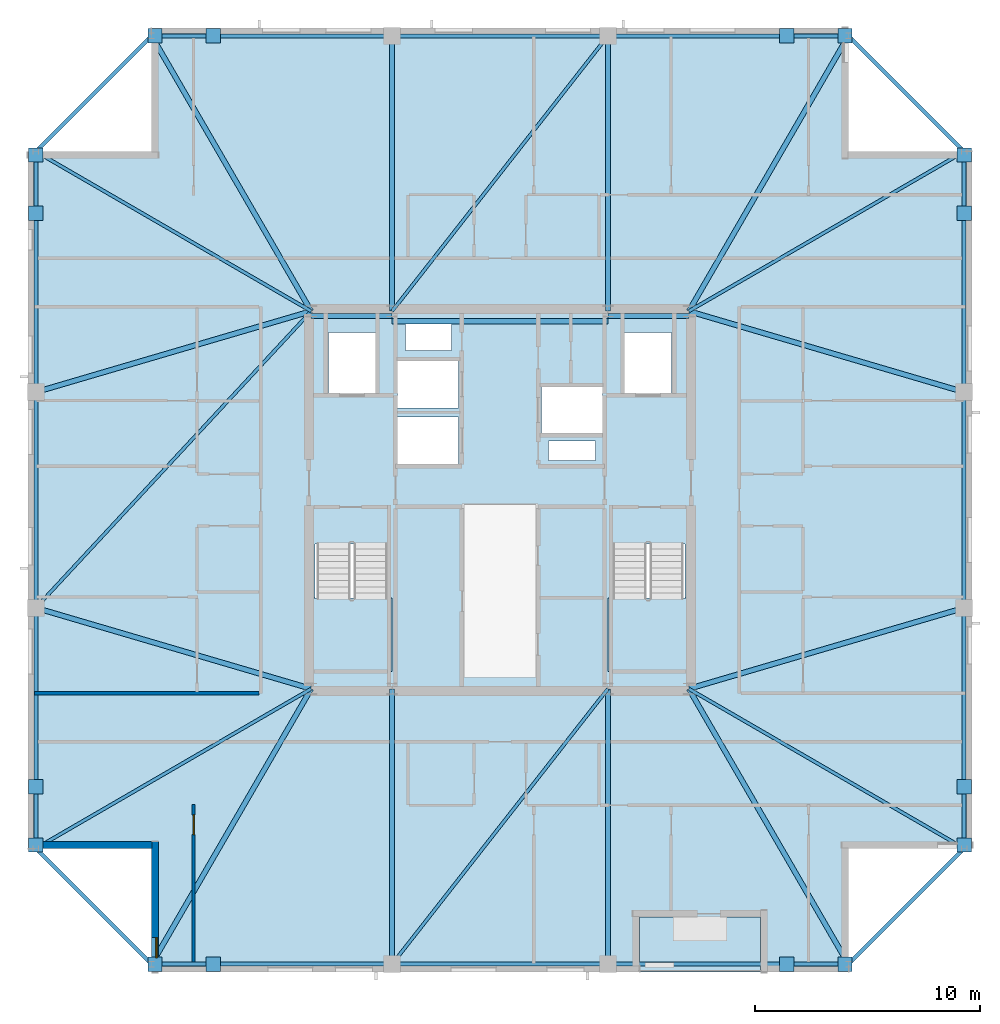
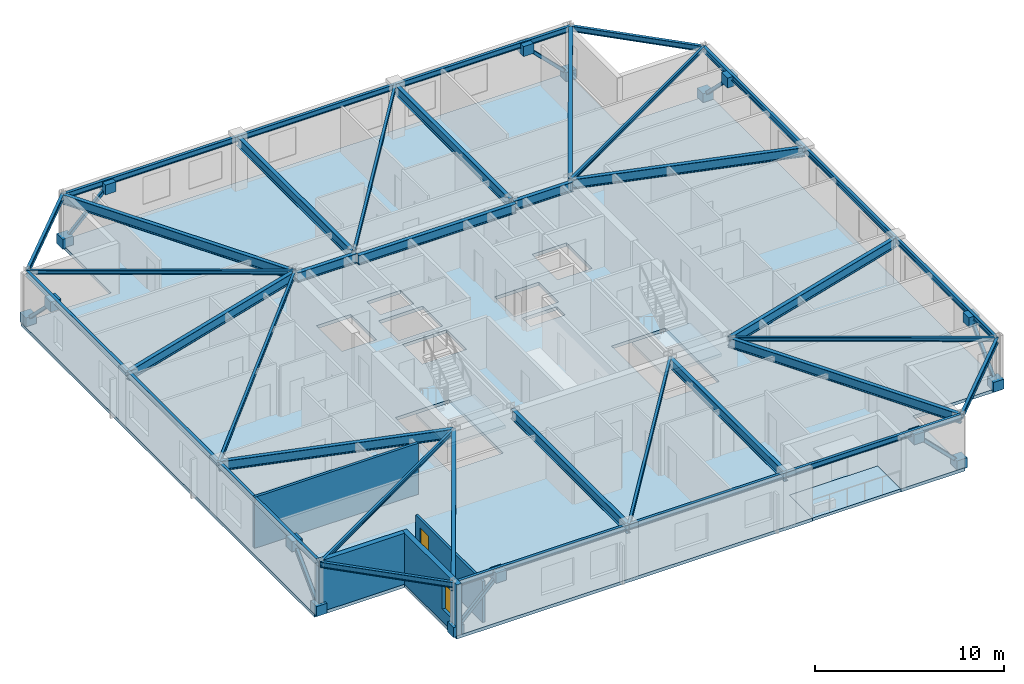
# One storey, part 6 of 15: 38 beams, 16 plates, 8 members, 4 slabs, 4 walls, 1 door, 1 window, 2 openings, 2 elements without a shape of their own.
"""IFC4 building model written with IfcOpenShell, lengths in metres."""

from ifc_helpers import new_model, si_unit, direction, frame, frame_2d, origin, origin_2d, place, context, subcontext, project, spatial, polyline, rectangle, hollow_rectangle, i_section, outline, extrude, material, layer, layer_set, material_profile, profile_set, type_object, element, fill, aggregate, save


model = new_model("IFC4")

# Units and contexts
model_context = context("Model", 3, precision=1e-05, world=origin(), true_north=direction((0.0, 1.0)))
body_context = subcontext(model_context, "Body", "Model", "MODEL_VIEW")
ifc_project = project(units=[si_unit("LENGTHUNIT", "METRE"), si_unit("AREAUNIT", "SQUARE_METRE"), si_unit("VOLUMEUNIT", "CUBIC_METRE"), si_unit("PLANEANGLEUNIT", "RADIAN"), si_unit("MASSUNIT", "GRAM", prefix="KILO")], contexts=[model_context])

# Site, building, storey
site_placement = place(None, origin())
site = spatial("IfcSite", under=ifc_project, at=site_placement, CompositionType="ELEMENT")
building_placement = place(site_placement, origin())
building = spatial("IfcBuilding", under=site, at=building_placement, Name="Cairnveth Concourse Tower", CompositionType="ELEMENT")
storey_placement = place(building_placement, frame((0.0, 0.0, 284.0)))
storey = spatial("IfcBuildingStorey", under=building, at=storey_placement, Name="L78", CompositionType="ELEMENT", Elevation=284.0)

# Beams
ifc_material_1 = material(Name="Steel Grade 350", Category="steel")
ifc_material_profile_1 = material_profile(ifc_material_1, i_section(OverallWidth=0.22802734375, OverallDepth=0.60693359375, WebThickness=0.01123046875, FlangeThickness=0.017333984375, FilletRadius=0.013916015625, at=origin_2d()), Name="610UB113")
ifc_profile_set_1 = profile_set([ifc_material_profile_1], Name="Steel Grade 350")
beam_type_1 = type_object("IfcBeamType", Name="CORE TIE BEAM 610UB113", PredefinedType="T_BEAM", material=ifc_profile_set_1)
for number, where, z_axis, x_axis, name in (
    (1, (43.60009765625, 47.179931640625, 2.986572265625), (1.0, 0.0, 0.0), (0.0, 1.0, 0.0), "Beam CT-N1 L78"),
    (2, (56.800048828125, 47.179931640625, 2.986572265625), (1.0, 0.0, 0.0), (0.0, 1.0, 0.0), "Beam CT-N3 L78"),
):
    element("IfcBeam", number, at=place(storey_placement, frame(where, z_axis=z_axis, x_axis=x_axis)), inside=storey, type_object=beam_type_1, Name=name, PredefinedType="T_BEAM", context=body_context, shape_type="SweptSolid", body=[
        extrude(i_section(OverallWidth=0.22802734375, OverallDepth=0.60693359375, WebThickness=0.01123046875, FlangeThickness=0.017333984375, FilletRadius=0.013916015625, at=origin_2d()), origin(), (0.0, 0.0, 1.0), 3.599853515625),
    ])
beam_1_placement = place(storey_placement, frame((47.199951171875, 46.949951171875, 2.986572265625), z_axis=(1.0, 0.0, 0.0), x_axis=(0.0, 1.0, 0.0)))
element("IfcBeam", 3, at=beam_1_placement, inside=storey, type_object=beam_type_1, Name="Beam CT-N2 L78", PredefinedType="T_BEAM", context=body_context, shape_type="SweptSolid", body=[
    extrude(i_section(OverallWidth=0.22802734375, OverallDepth=0.60693359375, WebThickness=0.01123046875, FlangeThickness=0.017333984375, FilletRadius=0.013916015625, at=origin_2d()), origin(), (0.0, 0.0, 1.0), 9.60009765625),
])
ifc_material_profile_2 = material_profile(ifc_material_1, i_section(OverallWidth=0.14599609375, OverallDepth=0.256103515625, WebThickness=0.00634765625, FlangeThickness=0.010986328125, FilletRadius=0.009033203125, at=origin_2d()), Name="250UB37.3")
ifc_profile_set_2 = profile_set([ifc_material_profile_2], Name="Steel Grade 350")
beam_type_2 = type_object("IfcBeamType", Name="ZONE 4 FLOOR JOIST 250UB37.3", PredefinedType="JOIST", material=ifc_profile_set_2)
for number, where, z_axis, x_axis, name in (
    (4, (31.35009765625, 23.5, 3.162109375), (0.86518141842, 0.501458984584, 0.0), (-0.501458984584, 0.86518141842, 0.0), "Beam FJ-CSW2 L78"),
    (5, (72.64990234375, 23.5, 3.162109375), (-0.86518141842, 0.501458984584, 0.0), (-0.501458984584, -0.86518141842, 0.0), "Beam FJ-CSE2 L78"),
    (6, (72.64990234375, 54.5, 3.162109375), (-0.86518141842, -0.501458984584, 0.0), (0.501458984584, -0.86518141842, 0.0), "Beam FJ-CNE2 L78"),
    (7, (31.35009765625, 54.5, 3.162109375), (0.86518141842, -0.501458984584, 0.0), (0.501458984584, 0.86518141842, 0.0), "Beam FJ-CNW2 L78"),
):
    element("IfcBeam", number, at=place(storey_placement, frame(where, z_axis=z_axis, x_axis=x_axis)), inside=storey, type_object=beam_type_2, Name=name, PredefinedType="JOIST", context=body_context, shape_type="SweptSolid", body=[
        extrude(i_section(OverallWidth=0.14599609375, OverallDepth=0.256103515625, WebThickness=0.00634765625, FlangeThickness=0.010986328125, FilletRadius=0.009033203125, at=origin_2d()), origin(), (0.0, 0.0, 1.0), 14.158935546875),
    ])
for number, where, z_axis, x_axis, name in (
    (8, (47.199951171875, 18.35009765625, 3.162109375), (0.616831762718, 0.787095023807, 0.0), (-0.787095023807, 0.616831762718, 0.0), "Beam FJ-S-M1 L78"),
    (9, (47.199951171875, 47.39990234375, 3.162109375), (0.616831762718, 0.787095023807, 0.0), (-0.787095023807, 0.616831762718, 0.0), "Beam FJ-N-M1 L78"),
):
    element("IfcBeam", number, at=place(storey_placement, frame(where, z_axis=z_axis, x_axis=x_axis)), inside=storey, type_object=beam_type_2, Name=name, PredefinedType="JOIST", context=body_context, shape_type="SweptSolid", body=[
        extrude(i_section(OverallWidth=0.14599609375, OverallDepth=0.256103515625, WebThickness=0.00634765625, FlangeThickness=0.010986328125, FilletRadius=0.009033203125, at=origin_2d()), origin(), (0.0, 0.0, 1.0), 15.5634765625),
    ])
beam_2_placement = place(storey_placement, frame((31.35009765625, 34.199951171875, 3.162109375), z_axis=(0.680239432161, 0.732989982833, 0.0), x_axis=(-0.732989982833, 0.680239432161, 0.0)))
element("IfcBeam", 10, at=beam_2_placement, inside=storey, type_object=beam_type_2, Name="Beam FJ-W-M1 L78", PredefinedType="JOIST", context=body_context, shape_type="SweptSolid", body=[
    extrude(i_section(OverallWidth=0.14599609375, OverallDepth=0.256103515625, WebThickness=0.00634765625, FlangeThickness=0.010986328125, FilletRadius=0.009033203125, at=origin_2d()), origin(), (0.0, 0.0, 1.0), 18.00830078125),
])

# Members
ifc_material_2 = material(Name="Steel C350L0 (350 MPa)", Category="steel")
ifc_material_profile_3 = material_profile(ifc_material_2, hollow_rectangle(XDim=0.199951171875, YDim=0.199951171875, WallThickness=0.012451171875, InnerFilletRadius=0.012939453125, OuterFilletRadius=0.02490234375, at=origin_2d()), Name="200x200x12.5SHS")
ifc_profile_set_3 = profile_set([ifc_material_profile_3], Name="Steel C350L0 (350 MPa)")
member_type = type_object("IfcMemberType", Name="ZONE 4 PIER BRACE 200X200X12.5SHS", PredefinedType="BRACE", material=ifc_profile_set_3)
for number, where, z_axis, x_axis, name in (
    (11, (36.64990234375, 18.35009765625, 0.25), (0.708469186186, 0.0, 0.705741746126), (0.0, 1.0, 0.0), "Structural Brace PB-S1 L78"),
    (12, (67.35009765625, 18.35009765625, 0.25), (-0.708469186186, 0.0, 0.705741746126), (0.0, -1.0, 0.0), "Structural Brace PB-S2 L78"),
    (13, (36.64990234375, 59.64990234375, 0.25), (0.708469186186, 0.0, 0.705741746126), (0.0, 1.0, 0.0), "Structural Brace PB-N1 L78"),
    (14, (67.35009765625, 59.64990234375, 0.25), (-0.708469186186, 0.0, 0.705741746126), (0.0, -1.0, 0.0), "Structural Brace PB-N2 L78"),
    (15, (31.35009765625, 23.64990234375, 0.25), (0.0, 0.708469186186, 0.705741746126), (-1.0, 0.0, 0.0), "Structural Brace PB-W1 L78"),
    (16, (31.35009765625, 54.35009765625, 0.25), (0.0, -0.708469186186, 0.705741746126), (1.0, 0.0, 0.0), "Structural Brace PB-W2 L78"),
    (17, (72.64990234375, 23.64990234375, 0.25), (0.0, 0.708469186186, 0.705741746126), (-1.0, 0.0, 0.0), "Structural Brace PB-E1 L78"),
    (18, (72.64990234375, 54.35009765625, 0.25), (0.0, -0.708469186186, 0.705741746126), (1.0, 0.0, 0.0), "Structural Brace PB-E2 L78"),
):
    element("IfcMember", number, at=place(storey_placement, frame(where, z_axis=z_axis, x_axis=x_axis)), inside=storey, type_object=member_type, Name=name, PredefinedType="BRACE", context=body_context, shape_type="SweptSolid", body=[
        extrude(hollow_rectangle(XDim=0.199951171875, YDim=0.199951171875, WallThickness=0.012451171875, InnerFilletRadius=0.012939453125, OuterFilletRadius=0.02490234375, at=origin_2d()), origin(), (0.0, 0.0, 1.0), 3.669921875),
    ])

# Beams
ifc_material_profile_4 = material_profile(ifc_material_1, i_section(OverallWidth=0.22900390625, OverallDepth=0.612060546875, WebThickness=0.011962890625, FlangeThickness=0.01953125, FilletRadius=0.013916015625, at=origin_2d()), Name="610UB125")
ifc_profile_set_4 = profile_set([ifc_material_profile_4], Name="Steel Grade 350")
beam_type_3 = type_object("IfcBeamType", Name="ZONE 4 RADIAL GIRDER 610UB125", PredefinedType="BEAM", material=ifc_profile_set_4)
for number, where, z_axis, x_axis, name in (
    (19, (47.199951171875, 18.35009765625, 2.98388671875), (0.0, 1.0, 0.0), (-1.0, 0.0, 0.0), "Beam RG-S1 L78"),
    (20, (56.800048828125, 18.35009765625, 2.98388671875), (0.0, 1.0, 0.0), (-1.0, 0.0, 0.0), "Beam RG-S2 L78"),
    (21, (47.199951171875, 47.39990234375, 2.98388671875), (0.0, 1.0, 0.0), (-1.0, 0.0, 0.0), "Beam RG-N1 L78"),
    (22, (56.800048828125, 47.39990234375, 2.98388671875), (0.0, 1.0, 0.0), (-1.0, 0.0, 0.0), "Beam RG-N2 L78"),
):
    element("IfcBeam", number, at=place(storey_placement, frame(where, z_axis=z_axis, x_axis=x_axis)), inside=storey, type_object=beam_type_3, Name=name, PredefinedType="BEAM", context=body_context, shape_type="SweptSolid", body=[
        extrude(i_section(OverallWidth=0.22900390625, OverallDepth=0.612060546875, WebThickness=0.011962890625, FlangeThickness=0.01953125, FilletRadius=0.013916015625, at=origin_2d()), origin(), (0.0, 0.0, 1.0), 12.25),
    ])
for number, where, z_axis, x_axis, name in (
    (23, (31.35009765625, 34.199951171875, 2.98388671875), (0.959430938842, -0.281943741893, 0.0), (0.281943741893, 0.959430938842, 0.0), "Beam RG-W1 L78"),
    (24, (31.35009765625, 43.800048828125, 2.98388671875), (0.959430938842, 0.281943741893, 0.0), (-0.281943741893, 0.959430938842, 0.0), "Beam RG-W2 L78"),
    (25, (60.39990234375, 30.60009765625, 2.98388671875), (0.959430938842, 0.281943741893, 0.0), (-0.281943741893, 0.959430938842, 0.0), "Beam RG-E1 L78"),
    (26, (60.39990234375, 47.39990234375, 2.98388671875), (0.959430938842, -0.281943741893, 0.0), (0.281943741893, 0.959430938842, 0.0), "Beam RG-E2 L78"),
):
    element("IfcBeam", number, at=place(storey_placement, frame(where, z_axis=z_axis, x_axis=x_axis)), inside=storey, type_object=beam_type_3, Name=name, PredefinedType="BEAM", context=body_context, shape_type="SweptSolid", body=[
        extrude(i_section(OverallWidth=0.22900390625, OverallDepth=0.612060546875, WebThickness=0.011962890625, FlangeThickness=0.01953125, FilletRadius=0.013916015625, at=origin_2d()), origin(), (0.0, 0.0, 1.0), 12.76806640625),
    ])
for number, where, z_axis, x_axis, name in (
    (27, (36.5, 18.35009765625, 2.98388671875), (0.501458984584, 0.86518141842, 0.0), (-0.86518141842, 0.501458984584, 0.0), "Beam RG-CSW L78"),
    (28, (67.5, 18.35009765625, 2.98388671875), (-0.501458984584, 0.86518141842, 0.0), (-0.86518141842, -0.501458984584, 0.0), "Beam RG-CSE L78"),
    (29, (67.5, 59.64990234375, 2.98388671875), (-0.501458984584, -0.86518141842, 0.0), (0.86518141842, -0.501458984584, 0.0), "Beam RG-CNE L78"),
    (30, (36.5, 59.64990234375, 2.98388671875), (0.501458984584, -0.86518141842, 0.0), (0.86518141842, 0.501458984584, 0.0), "Beam RG-CNW L78"),
):
    element("IfcBeam", number, at=place(storey_placement, frame(where, z_axis=z_axis, x_axis=x_axis)), inside=storey, type_object=beam_type_3, Name=name, PredefinedType="BEAM", context=body_context, shape_type="SweptSolid", body=[
        extrude(i_section(OverallWidth=0.22900390625, OverallDepth=0.612060546875, WebThickness=0.011962890625, FlangeThickness=0.01953125, FilletRadius=0.013916015625, at=origin_2d()), origin(), (0.0, 0.0, 1.0), 14.158935546875),
    ])
ifc_material_profile_5 = material_profile(ifc_material_1, i_section(OverallWidth=0.172119140625, OverallDepth=0.35888671875, WebThickness=0.008056640625, FlangeThickness=0.012939453125, FilletRadius=0.010986328125, at=origin_2d()), Name="360UB56.7")
ifc_profile_set_5 = profile_set([ifc_material_profile_5], Name="Steel Grade 350")
beam_type_4 = type_object("IfcBeamType", Name="ZONE 4 SPANDREL BEAM 360UB56.7", PredefinedType="SPANDREL", material=ifc_profile_set_5)
beam_3_placement = place(storey_placement, frame((36.5, 18.35009765625, 3.110595703125), z_axis=(1.0, 0.0, 0.0), x_axis=(0.0, 1.0, 0.0)))
element("IfcBeam", 31, at=beam_3_placement, inside=storey, type_object=beam_type_4, Name="Beam SP-S1 L78", PredefinedType="SPANDREL", context=body_context, shape_type="SweptSolid", body=[
    extrude(i_section(OverallWidth=0.172119140625, OverallDepth=0.35888671875, WebThickness=0.008056640625, FlangeThickness=0.012939453125, FilletRadius=0.010986328125, at=origin_2d()), origin(), (0.0, 0.0, 1.0), 10.699951171875),
])
beam_4_placement = place(storey_placement, frame((47.199951171875, 18.35009765625, 3.110595703125), z_axis=(1.0, 0.0, 0.0), x_axis=(0.0, 1.0, 0.0)))
element("IfcBeam", 32, at=beam_4_placement, inside=storey, type_object=beam_type_4, Name="Beam SP-S2 L78", PredefinedType="SPANDREL", context=body_context, shape_type="SweptSolid", body=[
    extrude(i_section(OverallWidth=0.172119140625, OverallDepth=0.35888671875, WebThickness=0.008056640625, FlangeThickness=0.012939453125, FilletRadius=0.010986328125, at=origin_2d()), origin(), (0.0, 0.0, 1.0), 9.60009765625),
])
for number, where, z_axis, x_axis, name in (
    (33, (56.800048828125, 18.35009765625, 3.110595703125), (1.0, 0.0, 0.0), (0.0, 1.0, 0.0), "Beam SP-S3 L78"),
    (34, (36.5, 59.64990234375, 3.110595703125), (1.0, 0.0, 0.0), (0.0, 1.0, 0.0), "Beam SP-N1 L78"),
):
    element("IfcBeam", number, at=place(storey_placement, frame(where, z_axis=z_axis, x_axis=x_axis)), inside=storey, type_object=beam_type_4, Name=name, PredefinedType="SPANDREL", context=body_context, shape_type="SweptSolid", body=[
        extrude(i_section(OverallWidth=0.172119140625, OverallDepth=0.35888671875, WebThickness=0.008056640625, FlangeThickness=0.012939453125, FilletRadius=0.010986328125, at=origin_2d()), origin(), (0.0, 0.0, 1.0), 10.699951171875),
    ])
beam_5_placement = place(storey_placement, frame((47.199951171875, 59.64990234375, 3.110595703125), z_axis=(1.0, 0.0, 0.0), x_axis=(0.0, 1.0, 0.0)))
element("IfcBeam", 35, at=beam_5_placement, inside=storey, type_object=beam_type_4, Name="Beam SP-N2 L78", PredefinedType="SPANDREL", context=body_context, shape_type="SweptSolid", body=[
    extrude(i_section(OverallWidth=0.172119140625, OverallDepth=0.35888671875, WebThickness=0.008056640625, FlangeThickness=0.012939453125, FilletRadius=0.010986328125, at=origin_2d()), origin(), (0.0, 0.0, 1.0), 9.60009765625),
])
for number, where, z_axis, x_axis, name in (
    (36, (56.800048828125, 59.64990234375, 3.110595703125), (1.0, 0.0, 0.0), (0.0, 1.0, 0.0), "Beam SP-N3 L78"),
    (37, (31.35009765625, 23.5, 3.110595703125), (0.0, 1.0, 0.0), (-1.0, 0.0, 0.0), "Beam SP-W1 L78"),
):
    element("IfcBeam", number, at=place(storey_placement, frame(where, z_axis=z_axis, x_axis=x_axis)), inside=storey, type_object=beam_type_4, Name=name, PredefinedType="SPANDREL", context=body_context, shape_type="SweptSolid", body=[
        extrude(i_section(OverallWidth=0.172119140625, OverallDepth=0.35888671875, WebThickness=0.008056640625, FlangeThickness=0.012939453125, FilletRadius=0.010986328125, at=origin_2d()), origin(), (0.0, 0.0, 1.0), 10.699951171875),
    ])
beam_6_placement = place(storey_placement, frame((31.35009765625, 34.199951171875, 3.110595703125), z_axis=(0.0, 1.0, 0.0), x_axis=(-1.0, 0.0, 0.0)))
element("IfcBeam", 38, at=beam_6_placement, inside=storey, type_object=beam_type_4, Name="Beam SP-W2 L78", PredefinedType="SPANDREL", context=body_context, shape_type="SweptSolid", body=[
    extrude(i_section(OverallWidth=0.172119140625, OverallDepth=0.35888671875, WebThickness=0.008056640625, FlangeThickness=0.012939453125, FilletRadius=0.010986328125, at=origin_2d()), origin(), (0.0, 0.0, 1.0), 9.60009765625),
])
for number, where, z_axis, x_axis, name in (
    (39, (31.35009765625, 43.800048828125, 3.110595703125), (0.0, 1.0, 0.0), (-1.0, 0.0, 0.0), "Beam SP-W3 L78"),
    (40, (72.64990234375, 23.5, 3.110595703125), (0.0, 1.0, 0.0), (-1.0, 0.0, 0.0), "Beam SP-E1 L78"),
):
    element("IfcBeam", number, at=place(storey_placement, frame(where, z_axis=z_axis, x_axis=x_axis)), inside=storey, type_object=beam_type_4, Name=name, PredefinedType="SPANDREL", context=body_context, shape_type="SweptSolid", body=[
        extrude(i_section(OverallWidth=0.172119140625, OverallDepth=0.35888671875, WebThickness=0.008056640625, FlangeThickness=0.012939453125, FilletRadius=0.010986328125, at=origin_2d()), origin(), (0.0, 0.0, 1.0), 10.699951171875),
    ])
beam_7_placement = place(storey_placement, frame((72.64990234375, 34.199951171875, 3.110595703125), z_axis=(0.0, 1.0, 0.0), x_axis=(-1.0, 0.0, 0.0)))
element("IfcBeam", 41, at=beam_7_placement, inside=storey, type_object=beam_type_4, Name="Beam SP-E2 L78", PredefinedType="SPANDREL", context=body_context, shape_type="SweptSolid", body=[
    extrude(i_section(OverallWidth=0.172119140625, OverallDepth=0.35888671875, WebThickness=0.008056640625, FlangeThickness=0.012939453125, FilletRadius=0.010986328125, at=origin_2d()), origin(), (0.0, 0.0, 1.0), 9.60009765625),
])
beam_8_placement = place(storey_placement, frame((72.64990234375, 43.800048828125, 3.110595703125), z_axis=(0.0, 1.0, 0.0), x_axis=(-1.0, 0.0, 0.0)))
element("IfcBeam", 42, at=beam_8_placement, inside=storey, type_object=beam_type_4, Name="Beam SP-E3 L78", PredefinedType="SPANDREL", context=body_context, shape_type="SweptSolid", body=[
    extrude(i_section(OverallWidth=0.172119140625, OverallDepth=0.35888671875, WebThickness=0.008056640625, FlangeThickness=0.012939453125, FilletRadius=0.010986328125, at=origin_2d()), origin(), (0.0, 0.0, 1.0), 10.699951171875),
])
for number, where, z_axis, x_axis, name in (
    (43, (31.35009765625, 23.5, 3.110595703125), (0.707106781187, -0.707106781187, 0.0), (0.707106781187, 0.707106781187, 0.0), "Beam SP-SW L78"),
    (44, (67.5, 18.35009765625, 3.110595703125), (0.707106781187, 0.707106781187, 0.0), (-0.707106781187, 0.707106781187, 0.0), "Beam SP-SE L78"),
    (45, (67.5, 59.64990234375, 3.110595703125), (0.707106781187, -0.707106781187, 0.0), (0.707106781187, 0.707106781187, 0.0), "Beam SP-NE L78"),
    (46, (31.35009765625, 54.5, 3.110595703125), (0.707106781187, 0.707106781187, 0.0), (-0.707106781187, 0.707106781187, 0.0), "Beam SP-NW L78"),
):
    element("IfcBeam", number, at=place(storey_placement, frame(where, z_axis=z_axis, x_axis=x_axis)), inside=storey, type_object=beam_type_4, Name=name, PredefinedType="SPANDREL", context=body_context, shape_type="SweptSolid", body=[
        extrude(i_section(OverallWidth=0.172119140625, OverallDepth=0.35888671875, WebThickness=0.008056640625, FlangeThickness=0.012939453125, FilletRadius=0.010986328125, at=origin_2d()), origin(), (0.0, 0.0, 1.0), 7.282958984375),
    ])

# Plates
ifc_layer_1 = layer(ifc_material_1, 0.031982421875)
ifc_layer_set_1 = layer_set([ifc_layer_1], Name="Steel Grade 350")
plate_type = type_object("IfcPlateType", Name="PERIMETER BRACE GUSSET PLATE 32", PredefinedType="USERDEFINED", material=ifc_layer_set_1)
for number, where, z_axis, x_axis, name in (
    (47, (36.64990234375, 18.35009765625, -0.06982421875), (0.0, 0.0, 1.0), (1.0, 0.0, 0.0), "Structural Node Plate 1385 L78"),
    (48, (39.25, 18.35009765625, 2.52001953125), (0.0, 0.0, 1.0), (1.0, 0.0, 0.0), "Structural Node Plate 1386 L78"),
    (49, (67.35009765625, 18.35009765625, -0.06982421875), (0.0, 0.0, 1.0), (1.0, 0.0, 0.0), "Structural Node Plate 1387 L78"),
    (50, (64.75, 18.35009765625, 2.52001953125), (0.0, 0.0, 1.0), (1.0, 0.0, 0.0), "Structural Node Plate 1388 L78"),
    (51, (36.64990234375, 59.64990234375, -0.06982421875), (0.0, 0.0, 1.0), (1.0, 0.0, 0.0), "Structural Node Plate 1389 L78"),
    (52, (39.25, 59.64990234375, 2.52001953125), (0.0, 0.0, 1.0), (1.0, 0.0, 0.0), "Structural Node Plate 1390 L78"),
    (53, (67.35009765625, 59.64990234375, -0.06982421875), (0.0, 0.0, 1.0), (1.0, 0.0, 0.0), "Structural Node Plate 1391 L78"),
    (54, (64.75, 59.64990234375, 2.52001953125), (0.0, 0.0, 1.0), (1.0, 0.0, 0.0), "Structural Node Plate 1392 L78"),
    (55, (31.35009765625, 23.64990234375, -0.06982421875), (0.0, 0.0, 1.0), (1.0, 0.0, 0.0), "Structural Node Plate 1393 L78"),
    (56, (31.35009765625, 26.25, 2.52001953125), (0.0, 0.0, 1.0), (1.0, 0.0, 0.0), "Structural Node Plate 1394 L78"),
    (57, (31.35009765625, 54.35009765625, -0.06982421875), (0.0, 0.0, 1.0), (1.0, 0.0, 0.0), "Structural Node Plate 1395 L78"),
    (58, (31.35009765625, 51.75, 2.52001953125), (0.0, 0.0, 1.0), (1.0, 0.0, 0.0), "Structural Node Plate 1396 L78"),
    (59, (72.64990234375, 23.64990234375, -0.06982421875), (0.0, 0.0, 1.0), (1.0, 0.0, 0.0), "Structural Node Plate 1397 L78"),
    (60, (72.64990234375, 26.25, 2.52001953125), (0.0, 0.0, 1.0), (1.0, 0.0, 0.0), "Structural Node Plate 1398 L78"),
    (61, (72.64990234375, 54.35009765625, -0.06982421875), (0.0, 0.0, 1.0), (1.0, 0.0, 0.0), "Structural Node Plate 1399 L78"),
    (62, (72.64990234375, 51.75, 2.52001953125), (0.0, 0.0, 1.0), (1.0, 0.0, 0.0), "Structural Node Plate 1400 L78"),
):
    element("IfcPlate", number, at=place(storey_placement, frame(where, z_axis=z_axis, x_axis=x_axis)), inside=storey, type_object=plate_type, Name=name, ObjectType="GUSSET PLATE", PredefinedType="USERDEFINED", context=body_context, shape_type="SweptSolid", body=[
        extrude(rectangle(XDim=0.639892578125, YDim=0.639892578125, at=origin_2d()), origin(), (0.0, 0.0, 1.0), 0.639892578125),
    ])

# Slab
ifc_material_3 = material(Name="Concrete N50 (50 MPa)", Category="concrete")
ifc_layer_2 = layer(ifc_material_3, 0.18994140625)
ifc_layer_set_2 = layer_set([ifc_layer_2], Name="Concrete N50 (50 MPa)")
slab_type_1 = type_object("IfcSlabType", Name="SPIRAL OUTDOOR TERRACE SLAB 190", PredefinedType="FLOOR", material=ifc_layer_set_2)
slab_1_placement = place(storey_placement, frame((0.0, 0.0, -0.18994140625)))
element("IfcSlab", 63, at=slab_1_placement, inside=storey, type_object=slab_type_1, Name="Spiral Terrace Slab L78", PredefinedType="FLOOR", context=body_context, shape_type="SweptSolid", body=[
    extrude(outline(polyline([(58.199951171875, 18.0), (63.60009765625, 18.0), (63.60009765625, 20.449951171875), (58.199951171875, 20.449951171875), (58.199951171875, 18.0)])), origin(), (0.0, 0.0, 1.0), 0.18994140625),
])

# Stair, slab
ifc_material_4 = material(Name="Precast concrete N50 (50 MPa)", Category="concrete")
stair_type = type_object("IfcStairType", Name="CORE DOG-LEG FIRE STAIR 1500", PredefinedType="HALF_TURN_STAIR", material=ifc_material_4)
stair_1_placement = place(storey_placement, origin())
stair_1 = element("IfcStair", 64, at=stair_1_placement, inside=storey, type_object=stair_type, Name="L78 Fire-Isolated Stair ST-1", PredefinedType="HALF_TURN_STAIR")
ifc_layer_3 = layer(ifc_material_3, 0.199951171875)
ifc_layer_set_3 = layer_set([ifc_layer_3], Name="Concrete N50 (50 MPa)")
slab_type_2 = type_object("IfcSlabType", Name="STAIR HALF LANDING SLAB 200", PredefinedType="LANDING", material=ifc_layer_set_3)
slab_2_placement = place(storey_placement, frame((0.0, 0.0, 1.550048828125)))
slab_2 = element("IfcSlab", 65, at=slab_2_placement, type_object=slab_type_2, Name="ST-1 landing 1", PredefinedType="LANDING", context=body_context, shape_type="SweptSolid", body=[
    extrude(outline(polyline([(43.6201171875, 34.639892578125), (43.6201171875, 31.3701171875), (47.199951171875, 31.3701171875), (47.199951171875, 34.639892578125), (43.6201171875, 34.639892578125)])), origin(), (0.0, 0.0, 1.0), 0.199951171875),
])
aggregate(stair_1, [slab_2])

stair_2_placement = place(storey_placement, origin())
stair_2 = element("IfcStair", 66, at=stair_2_placement, inside=storey, type_object=stair_type, Name="L78 Fire-Isolated Stair ST-2", PredefinedType="HALF_TURN_STAIR")
slab_3_placement = place(storey_placement, frame((0.0, 0.0, 1.550048828125)))
slab_3 = element("IfcSlab", 67, at=slab_3_placement, type_object=slab_type_2, Name="ST-2 landing 1", PredefinedType="LANDING", context=body_context, shape_type="SweptSolid", body=[
    extrude(outline(polyline([(56.800048828125, 34.639892578125), (56.800048828125, 31.3701171875), (60.3798828125, 31.3701171875), (60.3798828125, 34.639892578125), (56.800048828125, 34.639892578125)])), origin(), (0.0, 0.0, 1.0), 0.199951171875),
])
aggregate(stair_2, [slab_3])

# Slab
ifc_layer_4 = layer(ifc_material_3, 0.2099609375)
ifc_layer_set_4 = layer_set([ifc_layer_4], Name="Concrete N50 (50 MPa)")
slab_type_3 = type_object("IfcSlabType", Name="UPPER TOWER COMPOSITE SLAB 210", PredefinedType="FLOOR", material=ifc_layer_set_4)
slab_4_placement = place(storey_placement, frame((0.0, 0.0, -0.2099609375)))
element("IfcSlab", 68, at=slab_4_placement, inside=storey, type_object=slab_type_3, Name="Tower Floor Slab L78", PredefinedType="FLOOR", context=body_context, shape_type="SweptSolid", body=[
    extrude(outline(polyline([(58.199951171875, 18.0), (58.199951171875, 20.449951171875), (63.60009765625, 20.449951171875), (63.60009765625, 18.0), (67.5, 18.0), (67.5, 23.5), (73.0, 23.5), (73.0, 54.5), (67.5, 54.5), (67.5, 60.0), (36.5, 60.0), (36.5, 54.5), (31.0, 54.5), (31.0, 23.5), (36.5, 23.5), (36.5, 18.0), (58.199951171875, 18.0)]), holes=[polyline([(43.760009765625, 31.360107421875), (47.06005859375, 31.360107421875), (47.06005859375, 37.0400390625), (43.760009765625, 37.0400390625), (43.760009765625, 31.360107421875)]), polyline([(56.93994140625, 31.360107421875), (60.239990234375, 31.360107421875), (60.239990234375, 37.0400390625), (56.93994140625, 37.0400390625), (56.93994140625, 31.360107421875)]), polyline([(44.3701171875, 43.75), (46.469970703125, 43.75), (46.469970703125, 46.449951171875), (44.3701171875, 46.449951171875), (44.3701171875, 43.75)]), polyline([(57.530029296875, 43.75), (59.6298828125, 43.75), (59.6298828125, 46.449951171875), (57.530029296875, 46.449951171875), (57.530029296875, 43.75)]), polyline([(47.449951171875, 40.60009765625), (50.14990234375, 40.60009765625), (50.14990234375, 42.699951171875), (47.449951171875, 42.699951171875), (47.449951171875, 40.60009765625)]), polyline([(47.449951171875, 43.10009765625), (50.14990234375, 43.10009765625), (50.14990234375, 45.199951171875), (47.449951171875, 45.199951171875), (47.449951171875, 43.10009765625)]), polyline([(53.85009765625, 41.949951171875), (56.550048828125, 41.949951171875), (56.550048828125, 44.050048828125), (53.85009765625, 44.050048828125), (53.85009765625, 41.949951171875)]), polyline([(47.800048828125, 45.64990234375), (49.85009765625, 45.64990234375), (49.85009765625, 47.050048828125), (47.800048828125, 47.050048828125), (47.800048828125, 45.64990234375)]), polyline([(54.14990234375, 40.75), (56.25, 40.75), (56.25, 41.6201171875), (54.14990234375, 41.6201171875), (54.14990234375, 40.75)])]), origin(), (0.0, 0.0, 1.0), 0.2099609375),
])

# Wall
ifc_material_5 = material(Name="Gypsum Plasterboard Partition", Category="gypsum")
ifc_layer_5 = layer(ifc_material_5, 0.159912109375)
ifc_layer_set_5 = layer_set([ifc_layer_5], Name="Gypsum Plasterboard Partition")
wall_type_1 = type_object("IfcWallType", Name="ACOUSTIC PARTY WALL 180", PredefinedType="PARTITIONING", material=ifc_layer_set_5)
wall_1_placement = place(storey_placement, frame((31.284912109375, 30.39990234375, 0.0), z_axis=(0.0, 0.0, 1.0), x_axis=(1.0, 0.0, 0.0)))
element("IfcWall", 69, at=wall_1_placement, inside=storey, type_object=wall_type_1, Name="Interior Wall IW-L78-039", PredefinedType="PARTITIONING", context=body_context, shape_type="SweptSolid", body=[
    extrude(rectangle(XDim=10.0, YDim=0.159912109375, at=frame_2d((5.0, 0.0))), origin(), (0.0, 0.0, 1.0), 3.2900390625),
])

# Wall, opening, door
ifc_layer_6 = layer(ifc_material_5, 0.139892578125)
ifc_layer_set_6 = layer_set([ifc_layer_6], Name="Gypsum Plasterboard Partition")
wall_type_2 = type_object("IfcWallType", Name="GYPSUM STUD PARTITION 140", PredefinedType="PARTITIONING", material=ifc_layer_set_6)
wall_2_placement = place(storey_placement, frame((38.3701171875, 18.3798828125, 0.0), z_axis=(0.0, 0.0, 1.0), x_axis=(0.0, 1.0, 0.0)))
wall_2 = element("IfcWall", 70, at=wall_2_placement, inside=storey, type_object=wall_type_2, Name="Interior Wall IW-L78-049", PredefinedType="PARTITIONING", context=body_context, shape_type="SweptSolid", body=[
    extrude(rectangle(XDim=7.080078125, YDim=0.139892578125, at=frame_2d((3.5400390625, 0.0))), origin(), (0.0, 0.0, 1.0), 2.653076171875),
])
opening_1_placement = place(wall_2_placement, frame((5.72998046875, 0.0, 0.0)))
opening_1 = element("IfcOpeningElement", 71, at=opening_1_placement, cuts=wall_2, Name="Opening ID18", PredefinedType="OPENING", context=body_context, shape_type="SweptSolid", body=[
    extrude(rectangle(XDim=0.8798828125, YDim=2.10009765625, at=frame_2d((0.43994140625, 1.050048828125))), frame((0.0, 0.079833984375, 0.0), z_axis=(0.0, -1.0, 0.0), x_axis=(1.0, 0.0, 0.0)), (0.0, 0.0, 1.0), 0.159912109375),
])
ifc_material_6 = material(Name="Solid Core Hardwood Timber Leaf", Category="wood")
door_type = type_object("IfcDoorType", Name="INTERIOR SINGLE DOOR 880X2100", OperationType="NOTDEFINED", PredefinedType="DOOR", material=ifc_material_6)
door_placement = place(opening_1_placement, origin())
door = element("IfcDoor", 72, at=door_placement, inside=storey, type_object=door_type, Name="L78PS1 Master Bedroom Door", OperationType="SINGLE_SWING_LEFT", OverallHeight=2.10009765625, OverallWidth=0.8798828125, PredefinedType="DOOR", context=body_context, shape_type="SweptSolid", body=[
    extrude(rectangle(XDim=0.8798828125, YDim=2.10009765625, at=frame_2d((0.43994140625, 1.050048828125))), frame((0.0, 0.02490234375, 0.0), z_axis=(0.0, -1.0, 0.0), x_axis=(1.0, 0.0, 0.0)), (0.0, 0.0, 1.0), 0.050048828125),
])
fill(opening_1, door)

# Wall, opening, window
ifc_material_7 = material(Name="Hawthorn Red-Ochre Fired Clay Brick Masonry", Category="masonry")
ifc_layer_7 = layer(ifc_material_7, 0.300048828125)
ifc_layer_set_7 = layer_set([ifc_layer_7], Name="Hawthorn Red-Ochre Fired Clay Brick Masonry")
wall_type_3 = type_object("IfcWallType", Name="ZONE 4 BRICK PIER SPANDREL WALL 300", PredefinedType="SOLIDWALL", material=ifc_layer_set_7)
wall_3_placement = place(storey_placement, frame((36.64990234375, 18.0, 0.0), z_axis=(0.0, 0.0, 1.0), x_axis=(0.0, 1.0, 0.0)))
wall_3 = element("IfcWall", 73, at=wall_3_placement, inside=storey, type_object=wall_type_3, Name="Exterior Wall EW-L78-S01", PredefinedType="SOLIDWALL", context=body_context, shape_type="SweptSolid", body=[
    extrude(rectangle(XDim=5.800048828125, YDim=0.300048828125, at=frame_2d((2.89990234375, 0.0))), origin(), (0.0, 0.0, 1.0), 3.2900390625),
])
opening_2_placement = place(wall_3_placement, frame((0.6298828125, 0.0, 0.800048828125)))
opening_2 = element("IfcOpeningElement", 74, at=opening_2_placement, cuts=wall_3, Name="Opening W13", PredefinedType="OPENING", context=body_context, shape_type="SweptSolid", body=[
    extrude(rectangle(XDim=0.89990234375, YDim=1.75, at=frame_2d((0.449951171875, 0.875))), frame((0.0, 0.159912109375, 0.0), z_axis=(0.0, -1.0, 0.0), x_axis=(1.0, 0.0, 0.0)), (0.0, 0.0, 1.0), 0.320068359375),
])
ifc_material_8 = material(Name="Double Glazed Low-E Clear Glass", Category="glass")
window_type = type_object("IfcWindowType", Name="DEEP-SET BEDROOM LANCET WINDOW 900X1750", PartitioningType="DOUBLE_PANEL_VERTICAL", PredefinedType="WINDOW", material=ifc_material_8)
window_placement = place(opening_2_placement, origin())
window = element("IfcWindow", 75, at=window_placement, inside=storey, type_object=window_type, Name="Dwelling Lancet Window L78-DW1", OverallHeight=1.75, OverallWidth=0.89990234375, PartitioningType="SINGLE_PANEL", PredefinedType="WINDOW", context=body_context, shape_type="SweptSolid", body=[
    extrude(rectangle(XDim=0.89990234375, YDim=1.75, at=frame_2d((0.449951171875, 0.875))), frame((0.0, -0.0400390625, 0.0), z_axis=(0.0, -1.0, 0.0), x_axis=(1.0, 0.0, 0.0)), (0.0, 0.0, 1.0), 0.06005859375),
])
fill(opening_2, window)

# Wall
wall_4_placement = place(storey_placement, frame((36.52197265625, 23.64990234375, 0.0), z_axis=(0.0, 0.0, 1.0), x_axis=(-1.0, 0.0, 0.0)))
element("IfcWall", 76, at=wall_4_placement, inside=storey, type_object=wall_type_3, Name="Exterior Wall EW-L78-S02", PredefinedType="SOLIDWALL", context=body_context, shape_type="SweptSolid", body=[
    extrude(rectangle(XDim=5.243896484375, YDim=0.300048828125, at=frame_2d((2.6220703125, 0.0))), origin(), (0.0, 0.0, 1.0), 3.2900390625),
])

save(model, "model.ifc")
